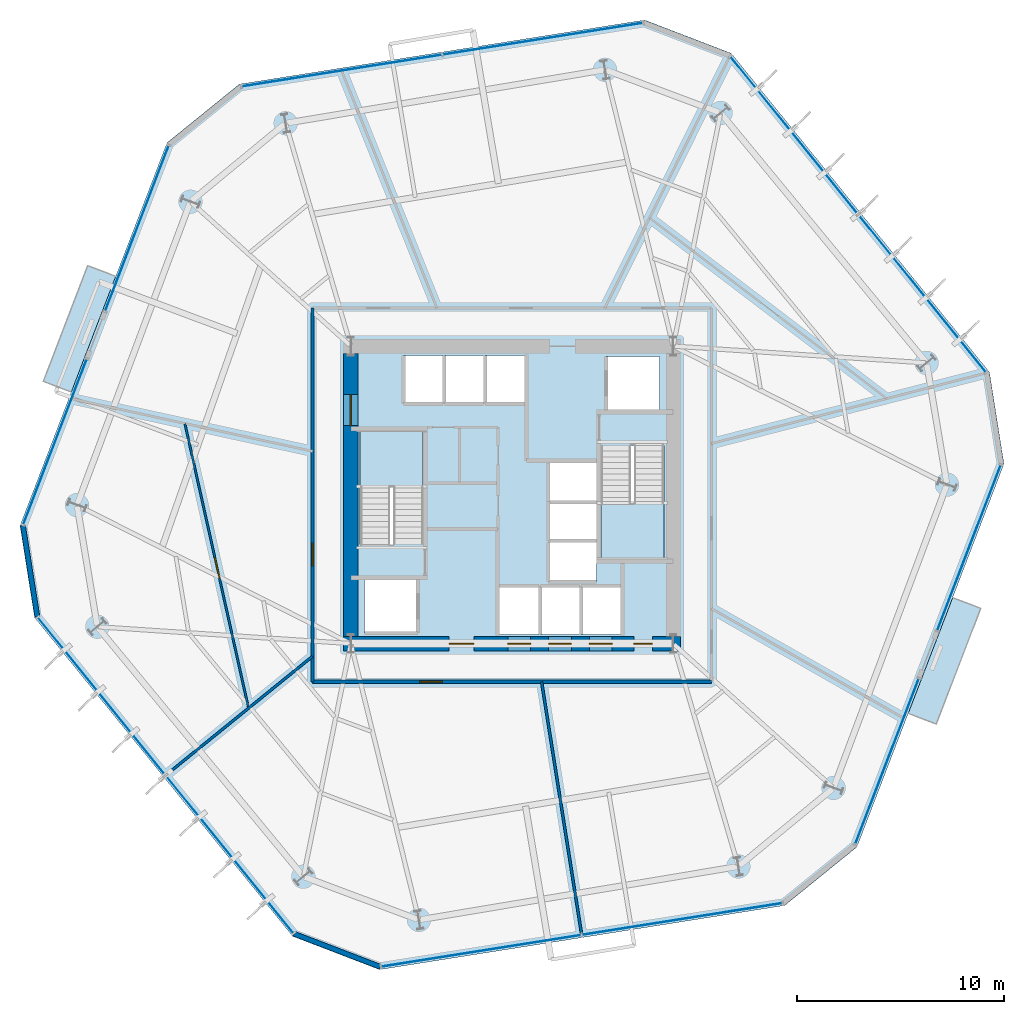
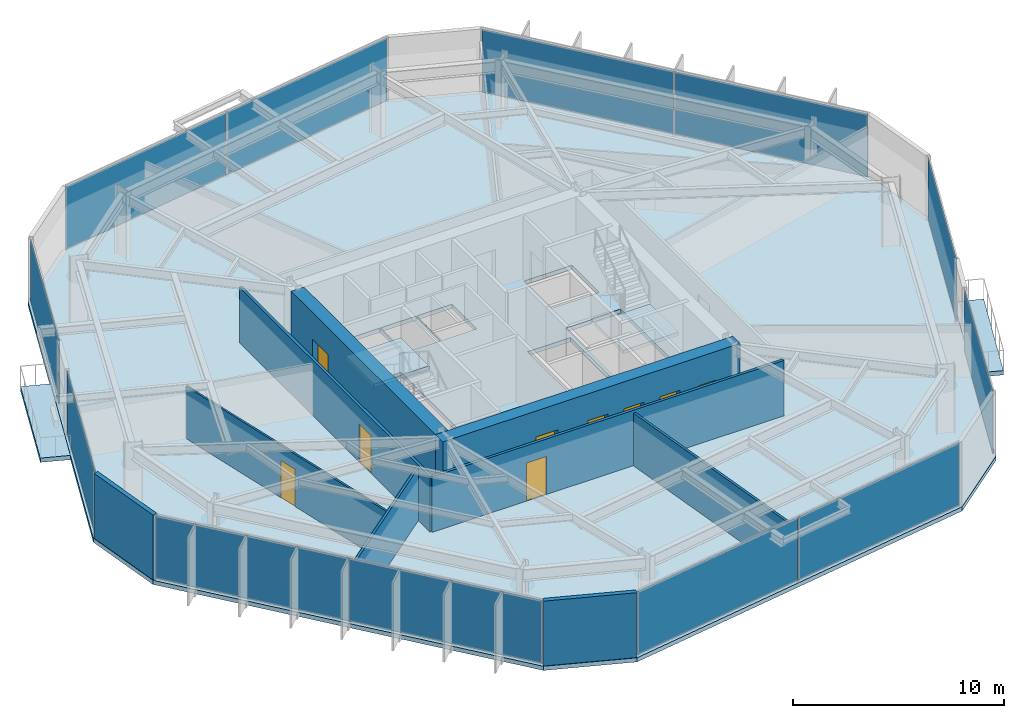
# One storey, part 6 of 11: 12 plates, 9 doors, 9 walls, 5 slabs, 9 openings, 10 elements without a shape of their own.
"""IFC4 building model written with IfcOpenShell, lengths in metres."""

import ifcopenshell
import ifcopenshell.guid

model = None  # the IFC model being written
_history = None  # IfcOwnerHistory: only IFC2X3 demands one
_inside = {}  # id of a spatial element -> (the spatial element, [elements in it])
_under = {}  # id of a project, library or spatial element -> (it, [spatial elements below it])
_declared = {}  # id of a project -> (the project, [libraries it declares])
_typed = {}  # id of a type object -> (the type object, [elements of that type])
_made_of = {}  # id of a material, layer set ... -> (it, [elements and type objects made of it])


def new_model(schema):
    """Start an empty IFC model of exactly this schema.

    Asked for "IFC4X3", IfcOpenShell would pick the latest addendum, in which some entities
    have other attributes; the version numbers below select the first issue.
    IFC2X3 requires an IfcOwnerHistory on every rooted entity: one is made here for all.
    """
    global model, _history
    if schema == "IFC4X3":
        model = ifcopenshell.file(schema_version=(4, 3, 0, 0))
    else:
        model = ifcopenshell.file(schema=schema)
    _inside.clear()
    _under.clear()
    _declared.clear()
    _typed.clear()
    _made_of.clear()
    _history = None
    if model.schema == "IFC2X3":
        org = make("IfcOrganization", Name="unknown")
        user = make(
            "IfcPersonAndOrganization",
            ThePerson=make("IfcPerson", FamilyName="unknown"),
            TheOrganization=org,
        )
        app = make(
            "IfcApplication",
            ApplicationDeveloper=org,
            Version="unknown",
            ApplicationFullName="unknown",
            ApplicationIdentifier="unknown",
        )
        _history = make(
            "IfcOwnerHistory",
            OwningUser=user,
            OwningApplication=app,
            ChangeAction="ADDED",
            CreationDate=0,
        )
    return model


def make(cls, **values):
    """One entity of the class cls with the attributes given. An attribute that is None is left unset."""
    return model.create_entity(
        cls, **{name: value for name, value in values.items() if value is not None}
    )


def rooted(cls, **values):
    """An entity with a GlobalId (a new one), such as an element, a storey or a relation."""
    return make(cls, GlobalId=ifcopenshell.guid.new(), OwnerHistory=_history, **values)


def si_unit(unit_type, name, prefix=None):
    """IfcSIUnit, for example si_unit("LENGTHUNIT", "METRE", prefix="MILLI")."""
    return make("IfcSIUnit", UnitType=unit_type, Prefix=prefix, Name=name)


def assignment(units):
    """IfcUnitAssignment: the units of a project."""
    return None if units is None else make("IfcUnitAssignment", Units=units)


def point(xyz):
    """IfcCartesianPoint."""
    return None if xyz is None else make("IfcCartesianPoint", Coordinates=xyz)


def direction(xyz):
    """IfcDirection."""
    return None if xyz is None else make("IfcDirection", DirectionRatios=xyz)


def frame(location, z_axis=None, x_axis=None):
    """IfcAxis2Placement3D, a coordinate frame: its origin and axes. An axis left out is left unset."""
    return make(
        "IfcAxis2Placement3D",
        Location=point(location),
        Axis=direction(z_axis),
        RefDirection=direction(x_axis),
    )


def frame_2d(location, x_axis=None):
    """IfcAxis2Placement2D, a coordinate frame in the plane: its origin and x axis."""
    return make(
        "IfcAxis2Placement2D", Location=point(location), RefDirection=direction(x_axis)
    )


def origin():
    """The frame at (0, 0, 0) with its axes left unset."""
    return frame((0.0, 0.0, 0.0))


def origin_2d():
    """The frame at (0, 0) in the plane with its x axis left unset."""
    return frame_2d((0.0, 0.0))


def place(relative_to, where):
    """IfcLocalPlacement: puts the frame where relative to a parent placement (None: the world)."""
    return make(
        "IfcLocalPlacement", PlacementRelTo=relative_to, RelativePlacement=where
    )


def context(
    kind, dimensions, precision=None, world=None, true_north=None, identifier=None
):
    """IfcGeometricRepresentationContext, for example the 3D "Model" context."""
    return make(
        "IfcGeometricRepresentationContext",
        ContextIdentifier=identifier,
        ContextType=kind,
        CoordinateSpaceDimension=dimensions,
        Precision=precision,
        WorldCoordinateSystem=world,
        TrueNorth=true_north,
    )


def subcontext(parent, identifier, kind, view, scale=None):
    """IfcGeometricRepresentationSubContext, for example "Body" below "Model"."""
    return make(
        "IfcGeometricRepresentationSubContext",
        ContextIdentifier=identifier,
        ContextType=kind,
        ParentContext=parent,
        TargetScale=scale,
        TargetView=view,
    )


def project(units=None, contexts=None):
    """IfcProject with its units and contexts."""
    return rooted(
        "IfcProject",
        Name="project",
        RepresentationContexts=contexts,
        UnitsInContext=assignment(units),
    )


def spatial(cls, under=None, at=None, **own):
    """A site, building, storey or space (cls), placed at a placement, below another one or the project."""
    s = rooted(cls, ObjectPlacement=at, **own)
    if under is not None:
        _under.setdefault(under.id(), (under, []))[1].append(s)
    return s


def polyline(points):
    """IfcPolyline through the points."""
    return make("IfcPolyline", Points=[point(p) for p in points])


def profile(cls, at=None, kind="AREA", **sizes):
    """A parametric profile (cls). Its sizes go by their IFC names, for example OverallWidth=200.0."""
    return make(cls, ProfileType=kind, Position=at, **sizes)


def rectangle(**sizes):
    """IfcRectangleProfileDef."""
    return profile("IfcRectangleProfileDef", **sizes)


def outline(outer, holes=None, kind="AREA"):
    """IfcArbitraryClosedProfileDef: a profile drawn as a closed curve; with holes, ...WithVoids."""
    if holes is None:
        return make("IfcArbitraryClosedProfileDef", ProfileType=kind, OuterCurve=outer)
    return make(
        "IfcArbitraryProfileDefWithVoids",
        ProfileType=kind,
        OuterCurve=outer,
        InnerCurves=holes,
    )


def extrude(swept, where, along, depth):
    """IfcExtrudedAreaSolid: the profile swept, set in the frame where, extruded along a direction by depth."""
    return make(
        "IfcExtrudedAreaSolid",
        SweptArea=swept,
        Position=where,
        ExtrudedDirection=direction(along),
        Depth=depth,
    )


def shape(context_of_items, identifier, shape_type, items):
    """IfcShapeRepresentation: the items that make up one representation, for example the "Body"."""
    return make(
        "IfcShapeRepresentation",
        ContextOfItems=context_of_items,
        RepresentationIdentifier=identifier,
        RepresentationType=shape_type,
        Items=items,
    )


def material(Name=None, Category=None):
    """IfcMaterial."""
    return make("IfcMaterial", Name=Name, Category=Category)


def layer(
    of_material, thickness, ventilated=None, Name=None, Category=None, Priority=None
):
    """IfcMaterialLayer: one layer of a wall or slab, of a material (None: an air gap)."""
    return make(
        "IfcMaterialLayer",
        Material=of_material,
        LayerThickness=thickness,
        IsVentilated=ventilated,
        Name=Name,
        Category=Category,
        Priority=Priority,
    )


def layer_set(layers, Name=None):
    """IfcMaterialLayerSet."""
    return make("IfcMaterialLayerSet", MaterialLayers=layers, LayerSetName=Name)


def made_of(thing, what):
    """Note that an element or type object is made of a material, layer set ...; save() writes the relation."""
    if what is not None:
        _made_of.setdefault(what.id(), (what, []))[1].append(thing)
    return thing


def type_object(cls, material=None, **own):
    """A type object (cls), such as IfcWallType, which elements share."""
    return made_of(rooted(cls, **own), material)


def element(
    cls,
    number,
    at=None,
    inside=None,
    cuts=None,
    type_object=None,
    material=None,
    context=None,
    identifier="Body",
    shape_type=None,
    held_by="IfcProductDefinitionShape",
    body=None,
    shapes=None,
    **own,
):
    """One element of the class cls, such as IfcWall. Its Tag is "e" and its number.

    at: its placement. inside: the storey or other place that contains it. cuts: it is an
    opening in that element (IfcRelVoidsElement). A single representation is given by context,
    identifier, shape_type and body (its items); several are given by shapes. held_by: the class
    of the entity that holds the representations. save() writes the other relations.
    """
    e = rooted(cls, Tag="e%d" % number, ObjectPlacement=at, **own)
    if body is not None:
        shapes = [shape(context, identifier, shape_type, body)]
    if shapes is not None:
        e.Representation = make(held_by, Representations=shapes)
    if inside is not None:
        _inside.setdefault(inside.id(), (inside, []))[1].append(e)
    if cuts is not None:
        rooted(
            "IfcRelVoidsElement", RelatingBuildingElement=cuts, RelatedOpeningElement=e
        )
    if type_object is not None:
        _typed.setdefault(type_object.id(), (type_object, []))[1].append(e)
    return made_of(e, material)


def fill(opening, filler):
    """IfcRelFillsElement: the door or window that sits in an opening."""
    return rooted(
        "IfcRelFillsElement",
        RelatingOpeningElement=opening,
        RelatedBuildingElement=filler,
    )


def aggregate(whole, parts):
    """IfcRelAggregates: a whole, such as a stair, and the parts it consists of."""
    return rooted("IfcRelAggregates", RelatingObject=whole, RelatedObjects=parts)


def save(model, path):
    """Write the relations noted so far, then the file.

    IfcRelAggregates (storeys below a building ...), IfcRelContainedInSpatialStructure (elements
    in a storey), IfcRelDefinesByType, IfcRelAssociatesMaterial and IfcRelDeclares: one each for
    every whole, place, type object, material and project.
    """
    for whole, parts in _under.values():
        aggregate(whole, parts)
    for where, things in _inside.values():
        rooted(
            "IfcRelContainedInSpatialStructure",
            RelatedElements=things,
            RelatingStructure=where,
        )
    for kind, things in _typed.values():
        rooted("IfcRelDefinesByType", RelatedObjects=things, RelatingType=kind)
    for what, things in _made_of.values():
        rooted("IfcRelAssociatesMaterial", RelatedObjects=things, RelatingMaterial=what)
    for by, libraries in _declared.values():
        rooted("IfcRelDeclares", RelatingContext=by, RelatedDefinitions=libraries)
    model.write(path)


model = new_model("IFC4")

# Units and contexts
model_context = context("Model", 3, precision=1e-05, world=origin(), true_north=direction((0.0, 1.0)))
body_context = subcontext(model_context, "Body", "Model", "MODEL_VIEW")
ifc_project = project(units=[si_unit("LENGTHUNIT", "METRE"), si_unit("AREAUNIT", "SQUARE_METRE"), si_unit("VOLUMEUNIT", "CUBIC_METRE"), si_unit("PLANEANGLEUNIT", "RADIAN"), si_unit("MASSUNIT", "GRAM", prefix="KILO")], contexts=[model_context])

# Site, building, storey
site_placement = place(None, origin())
site = spatial("IfcSite", under=ifc_project, at=site_placement, CompositionType="ELEMENT")
building_placement = place(site_placement, origin())
building = spatial("IfcBuilding", under=site, at=building_placement, Name="Kranzbogen Civic Tower", CompositionType="ELEMENT")
storey_placement = place(building_placement, frame((0.0, 0.0, 56.0)))
storey = spatial("IfcBuildingStorey", under=building, at=storey_placement, Name="L13", CompositionType="ELEMENT", Elevation=56.0)

# Slab
ifc_material_1 = material(Name="Concrete C40/50", Category="concrete")
ifc_layer_1 = layer(ifc_material_1, 0.239990234375, Name="Concrete C40/50")
ifc_layer_set_1 = layer_set([ifc_layer_1], Name="Concrete C40/50")
slab_type_1 = type_object("IfcSlabType", Name="Composite Lower Tower Floor Slab 240 mm", PredefinedType="FLOOR", material=ifc_layer_set_1)
slab_1_placement = place(storey_placement, frame((0.0, 0.0, -0.239990234375)))
element("IfcSlab", 1, at=slab_1_placement, inside=storey, type_object=slab_type_1, Name="L13 tower floor slab", PredefinedType="FLOOR", context=body_context, shape_type="SweptSolid", body=[
    extrude(outline(polyline([(48.113037109375, 30.93896484375), (35.614990234375, 46.3740234375), (31.4140625, 47.986083984375), (11.797119140625, 44.87890625), (8.300048828125, 42.047119140625), (1.18310546875, 23.506103515625), (1.886962890625, 19.06103515625), (14.385009765625, 3.6259765625), (18.5859375, 2.013916015625), (38.202880859375, 5.12109375), (41.699951171875, 7.952880859375), (48.81689453125, 26.493896484375), (48.113037109375, 30.93896484375)]), holes=[polyline([(26.300048828125, 20.60009765625), (26.300048828125, 18.25), (24.39990234375, 18.25), (24.39990234375, 20.60009765625), (26.300048828125, 20.60009765625)]), polyline([(28.27490234375, 18.25), (26.375, 18.25), (26.375, 20.60009765625), (28.27490234375, 20.60009765625), (28.27490234375, 18.25)]), polyline([(20.449951171875, 18.300048828125), (17.85009765625, 18.300048828125), (17.85009765625, 20.89990234375), (20.449951171875, 20.89990234375), (20.449951171875, 18.300048828125)]), polyline([(20.699951171875, 22.659912109375), (19.25, 22.659912109375), (19.25, 22.60009765625), (17.64990234375, 22.60009765625), (17.64990234375, 28.10009765625), (20.699951171875, 28.10009765625), (20.699951171875, 22.659912109375)]), polyline([(21.64990234375, 29.39990234375), (19.75, 29.39990234375), (19.75, 31.75), (21.64990234375, 31.75), (21.64990234375, 29.39990234375)]), polyline([(23.625, 29.39990234375), (21.72509765625, 29.39990234375), (21.72509765625, 31.75), (23.625, 31.75), (23.625, 29.39990234375)]), polyline([(25.60009765625, 31.75), (25.60009765625, 29.39990234375), (23.699951171875, 29.39990234375), (23.699951171875, 31.75), (25.60009765625, 31.75)]), polyline([(30.25, 18.25), (28.35009765625, 18.25), (28.35009765625, 20.60009765625), (30.25, 20.60009765625), (30.25, 18.25)]), polyline([(29.10009765625, 20.800048828125), (26.75, 20.800048828125), (26.75, 22.699951171875), (29.10009765625, 22.699951171875), (29.10009765625, 20.800048828125)]), polyline([(26.75, 26.550048828125), (29.10009765625, 26.550048828125), (29.10009765625, 24.675048828125), (29.10009765625, 24.64990234375), (29.10009765625, 22.77490234375), (26.75, 22.77490234375), (26.75, 24.64990234375), (26.75, 24.675048828125), (26.75, 26.550048828125)]), polyline([(30.75, 27.340087890625), (30.75, 27.39990234375), (32.35009765625, 27.39990234375), (32.35009765625, 21.89990234375), (29.300048828125, 21.89990234375), (29.300048828125, 27.340087890625), (30.75, 27.340087890625)]), polyline([(32.14990234375, 29.10009765625), (29.550048828125, 29.10009765625), (29.550048828125, 31.699951171875), (32.14990234375, 31.699951171875), (32.14990234375, 29.10009765625)])]), origin(), (0.0, 0.0, 1.0), 0.239990234375),
])

# Curtain wall, plates
ifc_material_2 = material(Name="Pale Anodised Aluminium", Category="aluminium")
ifc_layer_2 = layer(ifc_material_2, 0.219970703125, Name="Pale Anodised Aluminium")
ifc_layer_set_2 = layer_set([ifc_layer_2], Name="Pale Anodised Aluminium")
curtain_wall_type = type_object("IfcCurtainWallType", Name="Zone 1 Stick Curtain Wall System CW-02", PredefinedType="USERDEFINED", material=ifc_layer_set_2)
curtain_wall_1_placement = place(storey_placement, origin())
curtain_wall_1 = element("IfcCurtainWall", 2, at=curtain_wall_1_placement, inside=storey, type_object=curtain_wall_type, Name="L13 curtain wall CW-L13-F1", ObjectType="STICK CURTAIN WALL", PredefinedType="USERDEFINED")
ifc_material_3 = material(Name="Low-E Triple Glazing Glass", Category="glass")
ifc_layer_3 = layer(ifc_material_3, 0.033935546875, Name="Low-E Triple Glazing Glass")
ifc_layer_set_3 = layer_set([ifc_layer_3], Name="Low-E Triple Glazing Glass")
plate_type = type_object("IfcPlateType", Name="Insulated Low-E Glazing Panel 34 mm", PredefinedType="CURTAIN_PANEL", material=ifc_layer_set_3)
plate_1_placement = place(storey_placement, frame((44.861572265625, 34.751953125, 0.06005859375), z_axis=(0.0, 0.0, 1.0), x_axis=(-0.629255050274, 0.777198868826, 0.0)))
plate_1 = element("IfcPlate", 3, at=plate_1_placement, type_object=plate_type, Name="CW-02 panel 1.1", PredefinedType="CURTAIN_PANEL", context=body_context, shape_type="SweptSolid", body=[
    extrude(rectangle(XDim=9.781982421875, YDim=0.028076171875, at=origin_2d()), origin(), (0.0, 0.0, 1.0), 3.639892578125),
])
plate_2_placement = place(storey_placement, frame((38.66845703125, 42.401123046875, 0.06005859375), z_axis=(0.0, 0.0, 1.0), x_axis=(-0.629255050274, 0.777198868826, 0.0)))
plate_2 = element("IfcPlate", 4, at=plate_2_placement, type_object=plate_type, Name="CW-02 panel 2.1", PredefinedType="CURTAIN_PANEL", context=body_context, shape_type="SweptSolid", body=[
    extrude(rectangle(XDim=9.781982421875, YDim=0.028076171875, at=origin_2d()), origin(), (0.0, 0.0, 1.0), 3.639892578125),
])
aggregate(curtain_wall_1, [plate_1, plate_2])

curtain_wall_2_placement = place(storey_placement, origin())
curtain_wall_2 = element("IfcCurtainWall", 5, at=curtain_wall_2_placement, inside=storey, type_object=curtain_wall_type, Name="L13 curtain wall CW-L13-F2", ObjectType="STICK CURTAIN WALL", PredefinedType="USERDEFINED")
plate_3_placement = place(storey_placement, frame((26.485595703125, 47.076416015625, 0.06005859375), z_axis=(0.0, 0.0, 1.0), x_axis=(-0.987686880029, -0.156443686412, 0.0)))
plate_3 = element("IfcPlate", 6, at=plate_3_placement, type_object=plate_type, Name="CW-02 panel 1.1", PredefinedType="CURTAIN_PANEL", context=body_context, shape_type="SweptSolid", body=[
    extrude(rectangle(XDim=9.782470703125, YDim=0.028076171875, at=origin_2d()), origin(), (0.0, 0.0, 1.0), 3.639892578125),
])
plate_4_placement = place(storey_placement, frame((16.764404296875, 45.53662109375, 0.06005859375), z_axis=(0.0, 0.0, 1.0), x_axis=(-0.987686880029, -0.156443686412, 0.0)))
plate_4 = element("IfcPlate", 7, at=plate_4_placement, type_object=plate_type, Name="CW-02 panel 2.1", PredefinedType="CURTAIN_PANEL", context=body_context, shape_type="SweptSolid", body=[
    extrude(rectangle(XDim=9.782470703125, YDim=0.028076171875, at=origin_2d()), origin(), (0.0, 0.0, 1.0), 3.639892578125),
])
aggregate(curtain_wall_2, [plate_3, plate_4])

# Curtain wall, plate
curtain_wall_3_placement = place(storey_placement, origin())
curtain_wall_3 = element("IfcCurtainWall", 8, at=curtain_wall_3_placement, inside=storey, type_object=curtain_wall_type, Name="L13 curtain wall CW-L13-F3-S1", ObjectType="STICK CURTAIN WALL", PredefinedType="USERDEFINED")
plate_5_placement = place(storey_placement, frame((6.843994140625, 37.89892578125, 0.06005859375), z_axis=(0.0, 0.0, 1.0), x_axis=(-0.358391745833, -0.93357129161, 0.0)))
plate_5 = element("IfcPlate", 9, at=plate_5_placement, type_object=plate_type, Name="CW-02 panel 1.1", PredefinedType="CURTAIN_PANEL", context=body_context, shape_type="SweptSolid", body=[
    extrude(rectangle(XDim=8.552001953125, YDim=0.028076171875, at=origin_2d()), origin(), (0.0, 0.0, 1.0), 3.639892578125),
])
aggregate(curtain_wall_3, [plate_5])

curtain_wall_4_placement = place(storey_placement, origin())
curtain_wall_4 = element("IfcCurtainWall", 10, at=curtain_wall_4_placement, inside=storey, type_object=curtain_wall_type, Name="L13 curtain wall CW-L13-F3-S2", ObjectType="STICK CURTAIN WALL", PredefinedType="USERDEFINED")
plate_6_placement = place(storey_placement, frame((2.87646484375, 27.5625, 0.06005859375), z_axis=(0.0, 0.0, 1.0), x_axis=(-0.35832981626, -0.933595063601, 0.0)))
plate_6 = element("IfcPlate", 11, at=plate_6_placement, type_object=plate_type, Name="CW-02 panel 1.1", PredefinedType="CURTAIN_PANEL", context=body_context, shape_type="SweptSolid", body=[
    extrude(rectangle(XDim=8.55078125, YDim=0.028076171875, at=origin_2d()), origin(), (0.0, 0.0, 1.0), 3.639892578125),
])
aggregate(curtain_wall_4, [plate_6])

# Curtain wall, plates
curtain_wall_5_placement = place(storey_placement, origin())
curtain_wall_5 = element("IfcCurtainWall", 12, at=curtain_wall_5_placement, inside=storey, type_object=curtain_wall_type, Name="L13 curtain wall CW-L13-F4", ObjectType="STICK CURTAIN WALL", PredefinedType="USERDEFINED")
plate_7_placement = place(storey_placement, frame((5.138427734375, 15.248046875, 0.06005859375), z_axis=(0.0, 0.0, 1.0), x_axis=(0.629255050274, -0.777198868826, 0.0)))
plate_7 = element("IfcPlate", 13, at=plate_7_placement, type_object=plate_type, Name="CW-02 panel 1.1", PredefinedType="CURTAIN_PANEL", context=body_context, shape_type="SweptSolid", body=[
    extrude(rectangle(XDim=9.781982421875, YDim=0.028076171875, at=origin_2d()), origin(), (0.0, 0.0, 1.0), 3.639892578125),
])
plate_8_placement = place(storey_placement, frame((11.33154296875, 7.598876953125, 0.06005859375), z_axis=(0.0, 0.0, 1.0), x_axis=(0.629255050274, -0.777198868826, 0.0)))
plate_8 = element("IfcPlate", 14, at=plate_8_placement, type_object=plate_type, Name="CW-02 panel 2.1", PredefinedType="CURTAIN_PANEL", context=body_context, shape_type="SweptSolid", body=[
    extrude(rectangle(XDim=9.781982421875, YDim=0.028076171875, at=origin_2d()), origin(), (0.0, 0.0, 1.0), 3.639892578125),
])
aggregate(curtain_wall_5, [plate_7, plate_8])

curtain_wall_6_placement = place(storey_placement, origin())
curtain_wall_6 = element("IfcCurtainWall", 15, at=curtain_wall_6_placement, inside=storey, type_object=curtain_wall_type, Name="L13 curtain wall CW-L13-F5", ObjectType="STICK CURTAIN WALL", PredefinedType="USERDEFINED")
plate_9_placement = place(storey_placement, frame((23.514404296875, 2.923583984375, 0.06005859375), z_axis=(0.0, 0.0, 1.0), x_axis=(0.987686880029, 0.156443686412, 0.0)))
plate_9 = element("IfcPlate", 16, at=plate_9_placement, type_object=plate_type, Name="CW-02 panel 1.1", PredefinedType="CURTAIN_PANEL", context=body_context, shape_type="SweptSolid", body=[
    extrude(rectangle(XDim=9.782470703125, YDim=0.028076171875, at=origin_2d()), origin(), (0.0, 0.0, 1.0), 3.639892578125),
])
plate_10_placement = place(storey_placement, frame((33.235595703125, 4.46337890625, 0.06005859375), z_axis=(0.0, 0.0, 1.0), x_axis=(0.987686880029, 0.156443686412, 0.0)))
plate_10 = element("IfcPlate", 17, at=plate_10_placement, type_object=plate_type, Name="CW-02 panel 2.1", PredefinedType="CURTAIN_PANEL", context=body_context, shape_type="SweptSolid", body=[
    extrude(rectangle(XDim=9.782470703125, YDim=0.028076171875, at=origin_2d()), origin(), (0.0, 0.0, 1.0), 3.639892578125),
])
aggregate(curtain_wall_6, [plate_9, plate_10])

# Curtain wall, plate
curtain_wall_7_placement = place(storey_placement, origin())
curtain_wall_7 = element("IfcCurtainWall", 18, at=curtain_wall_7_placement, inside=storey, type_object=curtain_wall_type, Name="L13 curtain wall CW-L13-F6-S1", ObjectType="STICK CURTAIN WALL", PredefinedType="USERDEFINED")
plate_11_placement = place(storey_placement, frame((43.156005859375, 12.10107421875, 0.06005859375), z_axis=(0.0, 0.0, 1.0), x_axis=(0.358391745833, 0.93357129161, 0.0)))
plate_11 = element("IfcPlate", 19, at=plate_11_placement, type_object=plate_type, Name="CW-02 panel 1.1", PredefinedType="CURTAIN_PANEL", context=body_context, shape_type="SweptSolid", body=[
    extrude(rectangle(XDim=8.552001953125, YDim=0.028076171875, at=origin_2d()), origin(), (0.0, 0.0, 1.0), 3.639892578125),
])
aggregate(curtain_wall_7, [plate_11])

curtain_wall_8_placement = place(storey_placement, origin())
curtain_wall_8 = element("IfcCurtainWall", 20, at=curtain_wall_8_placement, inside=storey, type_object=curtain_wall_type, Name="L13 curtain wall CW-L13-F6-S2", ObjectType="STICK CURTAIN WALL", PredefinedType="USERDEFINED")
plate_12_placement = place(storey_placement, frame((47.12353515625, 22.4375, 0.06005859375), z_axis=(0.0, 0.0, 1.0), x_axis=(0.35832981626, 0.933595063601, 0.0)))
plate_12 = element("IfcPlate", 21, at=plate_12_placement, type_object=plate_type, Name="CW-02 panel 1.1", PredefinedType="CURTAIN_PANEL", context=body_context, shape_type="SweptSolid", body=[
    extrude(rectangle(XDim=8.55078125, YDim=0.028076171875, at=origin_2d()), origin(), (0.0, 0.0, 1.0), 3.639892578125),
])
aggregate(curtain_wall_8, [plate_12])

# Stair, slab
ifc_material_4 = material(Name="Precast concrete C40/50", Category="concrete")
stair_type_1 = type_object("IfcStairType", Name="Tower Core Pressurized Dogleg Stair 1450", PredefinedType="HALF_TURN_STAIR", material=ifc_material_4)
stair_1_placement = place(storey_placement, origin())
stair_1 = element("IfcStair", 22, at=stair_1_placement, inside=storey, type_object=stair_type_1, Name="L13 Tower Core Pressurized Stair 1", PredefinedType="HALF_TURN_STAIR")
ifc_layer_4 = layer(ifc_material_4, 0.199951171875, Name="Precast concrete C40/50")
ifc_layer_set_4 = layer_set([ifc_layer_4], Name="Precast concrete C40/50")
slab_type_2 = type_object("IfcSlabType", Name="Precast Concrete Stair Landing Slab 200 mm", PredefinedType="LANDING", material=ifc_layer_set_4)
slab_2_placement = place(storey_placement, frame((0.0, 0.0, 1.800048828125)))
slab_2 = element("IfcSlab", 23, at=slab_2_placement, type_object=slab_type_2, Name="ST-T1 landing 1", PredefinedType="LANDING", context=body_context, shape_type="SweptSolid", body=[
    extrude(outline(polyline([(20.699951171875, 25.39990234375), (20.699951171875, 28.10009765625), (17.64990234375, 28.10009765625), (17.64990234375, 25.39990234375), (20.699951171875, 25.39990234375)])), origin(), (0.0, 0.0, 1.0), 0.199951171875),
])
aggregate(stair_1, [slab_2])

stair_type_2 = type_object("IfcStairType", Name="Tower Core Secondary Dogleg Stair 1450", PredefinedType="HALF_TURN_STAIR", material=ifc_material_4)
stair_2_placement = place(storey_placement, origin())
stair_2 = element("IfcStair", 24, at=stair_2_placement, inside=storey, type_object=stair_type_2, Name="L13 Tower Core Pressurized Stair 2", PredefinedType="HALF_TURN_STAIR")
slab_3_placement = place(storey_placement, frame((0.0, 0.0, 1.800048828125)))
slab_3 = element("IfcSlab", 25, at=slab_3_placement, type_object=slab_type_2, Name="ST-T2 landing 1", PredefinedType="LANDING", context=body_context, shape_type="SweptSolid", body=[
    extrude(outline(polyline([(29.300048828125, 24.60009765625), (29.300048828125, 21.89990234375), (32.35009765625, 21.89990234375), (32.35009765625, 24.60009765625), (29.300048828125, 24.60009765625)])), origin(), (0.0, 0.0, 1.0), 0.199951171875),
])
aggregate(stair_2, [slab_3])

# Slabs
ifc_layer_5 = layer(ifc_material_1, 0.25, Name="Concrete C40/50")
ifc_layer_set_5 = layer_set([ifc_layer_5], Name="Concrete C40/50")
slab_type_3 = type_object("IfcSlabType", Name="Tree Balcony Cantilevered Slab 250 mm", PredefinedType="FLOOR", material=ifc_layer_set_5)
slab_4_placement = place(storey_placement, frame((0.0, 0.0, -0.25)))
element("IfcSlab", 26, at=slab_4_placement, inside=storey, type_object=slab_type_3, Name="L13 cantilevered tree balcony L13-TB1", PredefinedType="FLOOR", context=body_context, shape_type="SweptSolid", body=[
    extrude(outline(polyline([(5.81591796875, 35.576904296875), (3.666015625, 29.97607421875), (2.31201171875, 30.49609375), (4.4619140625, 36.096923828125), (5.81591796875, 35.576904296875)])), origin(), (0.0, 0.0, 1.0), 0.25),
])
slab_5_placement = place(storey_placement, frame((0.0, 0.0, -0.25)))
element("IfcSlab", 27, at=slab_5_placement, inside=storey, type_object=slab_type_3, Name="L13 cantilevered tree balcony L13-TB2", PredefinedType="FLOOR", context=body_context, shape_type="SweptSolid", body=[
    extrude(outline(polyline([(44.18408203125, 14.423095703125), (46.333984375, 20.02392578125), (47.68798828125, 19.50390625), (45.5380859375, 13.903076171875), (44.18408203125, 14.423095703125)])), origin(), (0.0, 0.0, 1.0), 0.25),
])

# Wall, opening, door
ifc_material_5 = material(Name="Double-Stud Acoustic Gypsum Partition")
ifc_layer_6 = layer(ifc_material_5, 0.14990234375, Name="Double-Stud Acoustic Gypsum Partition")
ifc_layer_set_6 = layer_set([ifc_layer_6], Name="Double-Stud Acoustic Gypsum Partition")
wall_type_1 = type_object("IfcWallType", Name="Acoustic Corridor and Clinical Partition 150 mm", PredefinedType="PARTITIONING", material=ifc_layer_set_6)
wall_1_placement = place(storey_placement, frame((34.64990234375, 15.949951171875, 0.0), z_axis=(0.0, 0.0, 1.0), x_axis=(-1.0, 0.0, 0.0)))
wall_1 = element("IfcWall", 28, at=wall_1_placement, inside=storey, type_object=wall_type_1, Name="L13 corridor partition 03", PredefinedType="PARTITIONING", context=body_context, shape_type="SweptSolid", body=[
    extrude(rectangle(XDim=19.2998046875, YDim=0.14990234375, at=frame_2d((9.64990234375, 0.0))), origin(), (0.0, 0.0, 1.0), 3.2099609375),
])
opening_1_placement = place(wall_1_placement, frame((13.02001953125, 0.0, 0.0)))
opening_1 = element("IfcOpeningElement", 29, at=opening_1_placement, cuts=wall_1, Name="Opening D-COR60", PredefinedType="OPENING", context=body_context, shape_type="SweptSolid", body=[
    extrude(rectangle(XDim=1.10009765625, YDim=2.199951171875, at=frame_2d((0.550048828125, 1.10009765625))), frame((0.0, 0.0849609375, 0.0), z_axis=(0.0, -1.0, 0.0), x_axis=(1.0, 0.0, 0.0)), (0.0, 0.0, 1.0), 0.169921875),
])
ifc_material_6 = material(Name="Oak Timber and Fire Core", Category="wood")
door_type_1 = type_object("IfcDoorType", Name="Corridor Acoustic Fire Door 1100x2200", OperationType="NOTDEFINED", PredefinedType="DOOR", material=ifc_material_6)
door_1_placement = place(opening_1_placement, origin())
door_1 = element("IfcDoor", 30, at=door_1_placement, inside=storey, type_object=door_type_1, Name="L13 Refreshment Galley Pantry door", OperationType="SINGLE_SWING_RIGHT", OverallHeight=2.199951171875, OverallWidth=1.10009765625, PredefinedType="DOOR", context=body_context, shape_type="SweptSolid", body=[
    extrude(rectangle(XDim=1.10009765625, YDim=2.199951171875, at=frame_2d((0.550048828125, 1.10009765625))), frame((0.0, 0.02490234375, 0.0), z_axis=(0.0, -1.0, 0.0), x_axis=(1.0, 0.0, 0.0)), (0.0, 0.0, 1.0), 0.050048828125),
])
fill(opening_1, door_1)

wall_2_placement = place(storey_placement, frame((15.35009765625, 15.949951171875, 0.0), z_axis=(0.0, 0.0, 1.0), x_axis=(0.0, 1.0, 0.0)))
wall_2 = element("IfcWall", 31, at=wall_2_placement, inside=storey, type_object=wall_type_1, Name="L13 corridor partition 04", PredefinedType="PARTITIONING", context=body_context, shape_type="SweptSolid", body=[
    extrude(rectangle(XDim=18.10009765625, YDim=0.14990234375, at=frame_2d((9.050048828125, 0.0))), origin(), (0.0, 0.0, 1.0), 3.2099609375),
])
opening_2_placement = place(wall_2_placement, frame((5.616943359375, 0.0, 0.0)))
opening_2 = element("IfcOpeningElement", 32, at=opening_2_placement, cuts=wall_2, Name="Opening D-COR60", PredefinedType="OPENING", context=body_context, shape_type="SweptSolid", body=[
    extrude(rectangle(XDim=1.10009765625, YDim=2.199951171875, at=frame_2d((0.550048828125, 1.10009765625))), frame((0.0, 0.0849609375, 0.0), z_axis=(0.0, -1.0, 0.0), x_axis=(1.0, 0.0, 0.0)), (0.0, 0.0, 1.0), 0.169921875),
])
door_2_placement = place(opening_2_placement, origin())
door_2 = element("IfcDoor", 33, at=door_2_placement, inside=storey, type_object=door_type_1, Name="L13 Ministerial Policy Office door", OperationType="SINGLE_SWING_RIGHT", OverallHeight=2.199951171875, OverallWidth=1.10009765625, PredefinedType="DOOR", context=body_context, shape_type="SweptSolid", body=[
    extrude(rectangle(XDim=1.10009765625, YDim=2.199951171875, at=frame_2d((0.550048828125, 1.10009765625))), frame((0.0, 0.02490234375, 0.0), z_axis=(0.0, -1.0, 0.0), x_axis=(1.0, 0.0, 0.0)), (0.0, 0.0, 1.0), 0.050048828125),
])
fill(opening_2, door_2)

# Walls
ifc_material_7 = material(Name="Insulated Metal-Stud Gypsum Partition")
ifc_layer_7 = layer(ifc_material_7, 0.125, Name="Insulated Metal-Stud Gypsum Partition")
ifc_layer_set_7 = layer_set([ifc_layer_7], Name="Insulated Metal-Stud Gypsum Partition")
wall_type_2 = type_object("IfcWallType", Name="Acoustic Inter-Room Partition 125 mm", PredefinedType="PARTITIONING", material=ifc_layer_set_7)
wall_3_placement = place(storey_placement, frame((15.35009765625, 17.18505859375, 0.0), z_axis=(0.0, 0.0, 1.0), x_axis=(-0.777163973681, -0.629298147155, 0.0)))
element("IfcWall", 34, at=wall_3_placement, inside=storey, type_object=wall_type_2, Name="L13 radial room partition 04", PredefinedType="PARTITIONING", context=body_context, shape_type="SweptSolid", body=[
    extrude(rectangle(XDim=9.13720703125, YDim=0.125, at=frame_2d((4.568603515625, 0.0))), origin(), (0.0, 0.0, 1.0), 3.06005859375),
])
wall_4_placement = place(storey_placement, frame((26.43310546875, 15.949951171875, 0.0), z_axis=(0.0, 0.0, 1.0), x_axis=(0.156473474013, -0.987682161391, 0.0)))
element("IfcWall", 35, at=wall_4_placement, inside=storey, type_object=wall_type_2, Name="L13 radial room partition 05", PredefinedType="PARTITIONING", context=body_context, shape_type="SweptSolid", body=[
    extrude(rectangle(XDim=12.3916015625, YDim=0.125, at=frame_2d((6.19580078125, 0.0))), origin(), (0.0, 0.0, 1.0), 3.050048828125),
])

# Wall, openings, doors
ifc_material_8 = material(Name="Concrete C55/67", Category="concrete")
ifc_layer_8 = layer(ifc_material_8, 0.699951171875, Name="Concrete C55/67")
ifc_layer_set_8 = layer_set([ifc_layer_8], Name="Concrete C55/67")
wall_type_3 = type_object("IfcWallType", Name="Central Core Shear Wall 700 mm", PredefinedType="SHEAR", material=ifc_layer_set_8)
wall_5_placement = place(storey_placement, frame((16.85009765625, 17.800048828125, 0.0), z_axis=(0.0, 0.0, 1.0), x_axis=(1.0, 0.0, 0.0)))
wall_5 = element("IfcWall", 36, at=wall_5_placement, inside=storey, type_object=wall_type_3, Name="L13 central core South shear wall", PredefinedType="SHEAR", context=body_context, shape_type="SweptSolid", body=[
    extrude(rectangle(XDim=16.2998046875, YDim=0.699951171875, at=frame_2d((8.14990234375, 0.0))), origin(), (0.0, 0.0, 1.0), 3.760009765625),
])
opening_3_placement = place(wall_5_placement, frame((5.10009765625, 0.0, 0.0)))
opening_3 = element("IfcOpeningElement", 37, at=opening_3_placement, cuts=wall_5, Name="Opening D-EX120", PredefinedType="OPENING", context=body_context, shape_type="SweptSolid", body=[
    extrude(rectangle(XDim=1.199951171875, YDim=2.25, at=frame_2d((0.60009765625, 1.125))), frame((0.0, 0.35986328125, 0.0), z_axis=(0.0, -1.0, 0.0), x_axis=(1.0, 0.0, 0.0)), (0.0, 0.0, 1.0), 0.719970703125),
])
opening_4_placement = place(wall_5_placement, frame((14.050048828125, 0.0, 0.0)))
opening_4 = element("IfcOpeningElement", 38, at=opening_4_placement, cuts=wall_5, Name="Opening D-WC90", PredefinedType="OPENING", context=body_context, shape_type="SweptSolid", body=[
    extrude(rectangle(XDim=0.89990234375, YDim=2.10009765625, at=frame_2d((0.449951171875, 1.050048828125))), frame((0.0, 0.35986328125, 0.0), z_axis=(0.0, -1.0, 0.0), x_axis=(1.0, 0.0, 0.0)), (0.0, 0.0, 1.0), 0.719970703125),
])
opening_5_placement = place(wall_5_placement, frame((7.949951171875, 0.0, 0.0)))
opening_5 = element("IfcOpeningElement", 39, at=opening_5_placement, cuts=wall_5, Name="Opening LD-LP-01", PredefinedType="OPENING", context=body_context, shape_type="SweptSolid", body=[
    extrude(rectangle(XDim=1.10009765625, YDim=2.199951171875, at=frame_2d((0.550048828125, 1.10009765625))), frame((0.0, 0.35986328125, 0.0), z_axis=(0.0, -1.0, 0.0), x_axis=(1.0, 0.0, 0.0)), (0.0, 0.0, 1.0), 0.719970703125),
])
opening_6_placement = place(wall_5_placement, frame((9.925048828125, 0.0, 0.0)))
opening_6 = element("IfcOpeningElement", 40, at=opening_6_placement, cuts=wall_5, Name="Opening LD-LP-02", PredefinedType="OPENING", context=body_context, shape_type="SweptSolid", body=[
    extrude(rectangle(XDim=1.10009765625, YDim=2.199951171875, at=frame_2d((0.550048828125, 1.10009765625))), frame((0.0, 0.35986328125, 0.0), z_axis=(0.0, -1.0, 0.0), x_axis=(1.0, 0.0, 0.0)), (0.0, 0.0, 1.0), 0.719970703125),
])
opening_7_placement = place(wall_5_placement, frame((11.89990234375, 0.0, 0.0)))
opening_7 = element("IfcOpeningElement", 41, at=opening_7_placement, cuts=wall_5, Name="Opening LD-LP-03", PredefinedType="OPENING", context=body_context, shape_type="SweptSolid", body=[
    extrude(rectangle(XDim=1.10009765625, YDim=2.199951171875, at=frame_2d((0.550048828125, 1.10009765625))), frame((0.0, 0.35986328125, 0.0), z_axis=(0.0, -1.0, 0.0), x_axis=(1.0, 0.0, 0.0)), (0.0, 0.0, 1.0), 0.719970703125),
])
ifc_material_9 = material(Name="Steel S355", Category="steel")
door_type_2 = type_object("IfcDoorType", Name="Exit Passageway Fire Door 1200x2250", OperationType="NOTDEFINED", PredefinedType="DOOR", material=ifc_material_9)
door_3_placement = place(opening_3_placement, origin())
door_3 = element("IfcDoor", 42, at=door_3_placement, inside=storey, type_object=door_type_2, Name="L13 West firefighting lobby corridor door", OperationType="SINGLE_SWING_RIGHT", OverallHeight=2.25, OverallWidth=1.199951171875, PredefinedType="DOOR", context=body_context, shape_type="SweptSolid", body=[
    extrude(rectangle(XDim=1.199951171875, YDim=2.25, at=frame_2d((0.60009765625, 1.125))), frame((0.0, 0.02490234375, 0.0), z_axis=(0.0, -1.0, 0.0), x_axis=(1.0, 0.0, 0.0)), (0.0, 0.0, 1.0), 0.050048828125),
])
fill(opening_3, door_3)
door_type_3 = type_object("IfcDoorType", Name="Passenger Lift Sliding Landing Door 1100x2200", OperationType="DOUBLE_DOOR_SLIDING", PredefinedType="DOOR", material=ifc_material_2)
door_4_placement = place(opening_5_placement, origin())
door_4 = element("IfcDoor", 43, at=door_4_placement, inside=storey, type_object=door_type_3, Name="L13 lift LP-01 sliding landing door", OperationType="DOUBLE_DOOR_SLIDING", OverallHeight=2.199951171875, OverallWidth=1.10009765625, PredefinedType="DOOR", context=body_context, shape_type="SweptSolid", body=[
    extrude(rectangle(XDim=1.10009765625, YDim=2.199951171875, at=frame_2d((0.550048828125, 1.10009765625))), frame((0.0, 0.02490234375, 0.0), z_axis=(0.0, -1.0, 0.0), x_axis=(1.0, 0.0, 0.0)), (0.0, 0.0, 1.0), 0.050048828125),
])
fill(opening_5, door_4)
door_5_placement = place(opening_6_placement, origin())
door_5 = element("IfcDoor", 44, at=door_5_placement, inside=storey, type_object=door_type_3, Name="L13 lift LP-02 sliding landing door", OperationType="DOUBLE_DOOR_SLIDING", OverallHeight=2.199951171875, OverallWidth=1.10009765625, PredefinedType="DOOR", context=body_context, shape_type="SweptSolid", body=[
    extrude(rectangle(XDim=1.10009765625, YDim=2.199951171875, at=frame_2d((0.550048828125, 1.10009765625))), frame((0.0, 0.02490234375, 0.0), z_axis=(0.0, -1.0, 0.0), x_axis=(1.0, 0.0, 0.0)), (0.0, 0.0, 1.0), 0.050048828125),
])
fill(opening_6, door_5)
door_6_placement = place(opening_7_placement, origin())
door_6 = element("IfcDoor", 45, at=door_6_placement, inside=storey, type_object=door_type_3, Name="L13 lift LP-03 sliding landing door", OperationType="DOUBLE_DOOR_SLIDING", OverallHeight=2.199951171875, OverallWidth=1.10009765625, PredefinedType="DOOR", context=body_context, shape_type="SweptSolid", body=[
    extrude(rectangle(XDim=1.10009765625, YDim=2.199951171875, at=frame_2d((0.550048828125, 1.10009765625))), frame((0.0, 0.02490234375, 0.0), z_axis=(0.0, -1.0, 0.0), x_axis=(1.0, 0.0, 0.0)), (0.0, 0.0, 1.0), 0.050048828125),
])
fill(opening_7, door_6)
ifc_material_10 = material(Name="Moisture-Resistant Laminate")
door_type_4 = type_object("IfcDoorType", Name="Standard Restroom and Store Door 900x2100", OperationType="NOTDEFINED", PredefinedType="DOOR", material=ifc_material_10)
door_7_placement = place(opening_4_placement, origin())
door_7 = element("IfcDoor", 46, at=door_7_placement, inside=storey, type_object=door_type_4, Name="L13 East electrical riser access door", OperationType="SINGLE_SWING_LEFT", OverallHeight=2.10009765625, OverallWidth=0.89990234375, PredefinedType="DOOR", context=body_context, shape_type="SweptSolid", body=[
    extrude(rectangle(XDim=0.89990234375, YDim=2.10009765625, at=frame_2d((0.449951171875, 1.050048828125))), frame((0.0, 0.02490234375, 0.0), z_axis=(0.0, -1.0, 0.0), x_axis=(1.0, 0.0, 0.0)), (0.0, 0.0, 1.0), 0.050048828125),
])
fill(opening_4, door_7)

# Wall, opening, door
wall_6_placement = place(storey_placement, frame((17.199951171875, 31.85009765625, 0.0), z_axis=(0.0, 0.0, 1.0), x_axis=(0.0, -1.0, 0.0)))
wall_6 = element("IfcWall", 47, at=wall_6_placement, inside=storey, type_object=wall_type_3, Name="L13 central core West shear wall", PredefinedType="SHEAR", context=body_context, shape_type="SweptSolid", body=[
    extrude(rectangle(XDim=13.7001953125, YDim=0.699951171875, at=frame_2d((6.85009765625, 0.0))), origin(), (0.0, 0.0, 1.0), 3.760009765625),
])
opening_8_placement = place(wall_6_placement, frame((2.0, 0.0, 0.0)))
opening_8 = element("IfcOpeningElement", 48, at=opening_8_placement, cuts=wall_6, Name="Opening D-DBL15", PredefinedType="OPENING", context=body_context, shape_type="SweptSolid", body=[
    extrude(rectangle(XDim=1.5, YDim=2.199951171875, at=frame_2d((0.75, 1.10009765625))), frame((0.0, 0.35986328125, 0.0), z_axis=(0.0, -1.0, 0.0), x_axis=(1.0, 0.0, 0.0)), (0.0, 0.0, 1.0), 0.719970703125),
])
ifc_material_11 = material(Name="Anodised Bronze and Glass", Category="glass")
door_type_5 = type_object("IfcDoorType", Name="Civic Lobby Double Door 1500x2200", OperationType="DOUBLE_DOOR_SINGLE_SWING", PredefinedType="DOOR", material=ifc_material_11)
door_8_placement = place(opening_8_placement, origin())
door_8 = element("IfcDoor", 49, at=door_8_placement, inside=storey, type_object=door_type_5, Name="L13 Central Lift Lobby West concourse door", OperationType="DOUBLE_DOOR_SINGLE_SWING", OverallHeight=2.199951171875, OverallWidth=1.5, PredefinedType="DOOR", context=body_context, shape_type="SweptSolid", body=[
    extrude(rectangle(XDim=1.5, YDim=2.199951171875, at=frame_2d((0.75, 1.10009765625))), frame((0.0, 0.02490234375, 0.0), z_axis=(0.0, -1.0, 0.0), x_axis=(1.0, 0.0, 0.0)), (0.0, 0.0, 1.0), 0.050048828125),
])
fill(opening_8, door_8)

ifc_material_12 = material(Name="Demountable Aluminium and Gypsum Partition", Category="aluminium")
ifc_layer_9 = layer(ifc_material_12, 0.10009765625, Name="Demountable Aluminium and Gypsum Partition")
ifc_layer_set_9 = layer_set([ifc_layer_9], Name="Demountable Aluminium and Gypsum Partition")
wall_type_4 = type_object("IfcWallType", Name="Demountable Office Partition 100 mm", PredefinedType="MOVABLE", material=ifc_layer_set_9)
wall_7_placement = place(storey_placement, frame((9.16796875, 28.43994140625, 0.0), z_axis=(0.0, 0.0, 1.0), x_axis=(0.21821254902, -0.975901267265, 0.0)))
wall_7 = element("IfcWall", 50, at=wall_7_placement, inside=storey, type_object=wall_type_4, Name="L13 suite chord partition 01", PredefinedType="MOVABLE", context=body_context, shape_type="SweptSolid", body=[
    extrude(rectangle(XDim=14.091552734375, YDim=0.10009765625, at=frame_2d((7.0458984375, 0.0))), origin(), (0.0, 0.0, 1.0), 3.02001953125),
])
opening_9_placement = place(wall_7_placement, frame((6.635986328125, 0.0, 0.0)))
opening_9 = element("IfcOpeningElement", 51, at=opening_9_placement, cuts=wall_7, Name="Opening D-OFC10", PredefinedType="OPENING", context=body_context, shape_type="SweptSolid", body=[
    extrude(rectangle(XDim=1.0, YDim=2.14990234375, at=frame_2d((0.5, 1.074951171875))), frame((0.0, 0.06005859375, 0.0), z_axis=(0.0, -1.0, 0.0), x_axis=(1.0, 0.0, 0.0)), (0.0, 0.0, 1.0), 0.1201171875),
])
ifc_material_13 = material(Name="Oak Timber Veneer", Category="wood")
door_type_6 = type_object("IfcDoorType", Name="Standard Office Acoustic Door 1000x2150", OperationType="NOTDEFINED", PredefinedType="DOOR", material=ifc_material_13)
door_9_placement = place(opening_9_placement, origin())
door_9 = element("IfcDoor", 52, at=door_9_placement, inside=storey, type_object=door_type_6, Name="L13 Directorate Admin Workspace door", OperationType="SINGLE_SWING_LEFT", OverallHeight=2.14990234375, OverallWidth=1.0, PredefinedType="DOOR", context=body_context, shape_type="SweptSolid", body=[
    extrude(rectangle(XDim=1.0, YDim=2.14990234375, at=frame_2d((0.5, 1.074951171875))), frame((0.0, 0.02490234375, 0.0), z_axis=(0.0, -1.0, 0.0), x_axis=(1.0, 0.0, 0.0)), (0.0, 0.0, 1.0), 0.050048828125),
])
fill(opening_9, door_9)

# Walls
ifc_layer_10 = layer(ifc_material_2, 0.239990234375, Name="Pale Anodised Aluminium")
ifc_layer_set_10 = layer_set([ifc_layer_10], Name="Pale Anodised Aluminium")
wall_type_5 = type_object("IfcWallType", Name="Insulated Aluminium Facade Portal Wall 240 mm", PredefinedType="STANDARD", material=ifc_layer_set_10)
wall_8_placement = place(storey_placement, frame((1.322998046875, 23.514892578125, 0.0), z_axis=(0.0, 0.0, 1.0), x_axis=(0.156447327705, -0.987686303263, 0.0)))
element("IfcWall", 53, at=wall_8_placement, inside=storey, type_object=wall_type_5, Name="L13 chamfered corner facade spandrel 3", PredefinedType="STANDARD", context=body_context, shape_type="SweptSolid", body=[
    extrude(rectangle(XDim=4.47412109375, YDim=0.239990234375, at=frame_2d((2.237060546875, 0.0))), origin(), (0.0, 0.0, 1.0), 3.760009765625),
])
wall_9_placement = place(storey_placement, frame((14.447021484375, 3.7509765625, 0.0), z_axis=(0.0, 0.0, 1.0), x_axis=(0.933681352495, -0.358104917591, 0.0)))
element("IfcWall", 54, at=wall_9_placement, inside=storey, type_object=wall_type_5, Name="L13 chamfered corner facade spandrel 4", PredefinedType="STANDARD", context=body_context, shape_type="SweptSolid", body=[
    extrude(rectangle(XDim=4.4736328125, YDim=0.239990234375, at=frame_2d((2.23681640625, 0.0))), origin(), (0.0, 0.0, 1.0), 3.760009765625),
])

save(model, "model.ifc")
